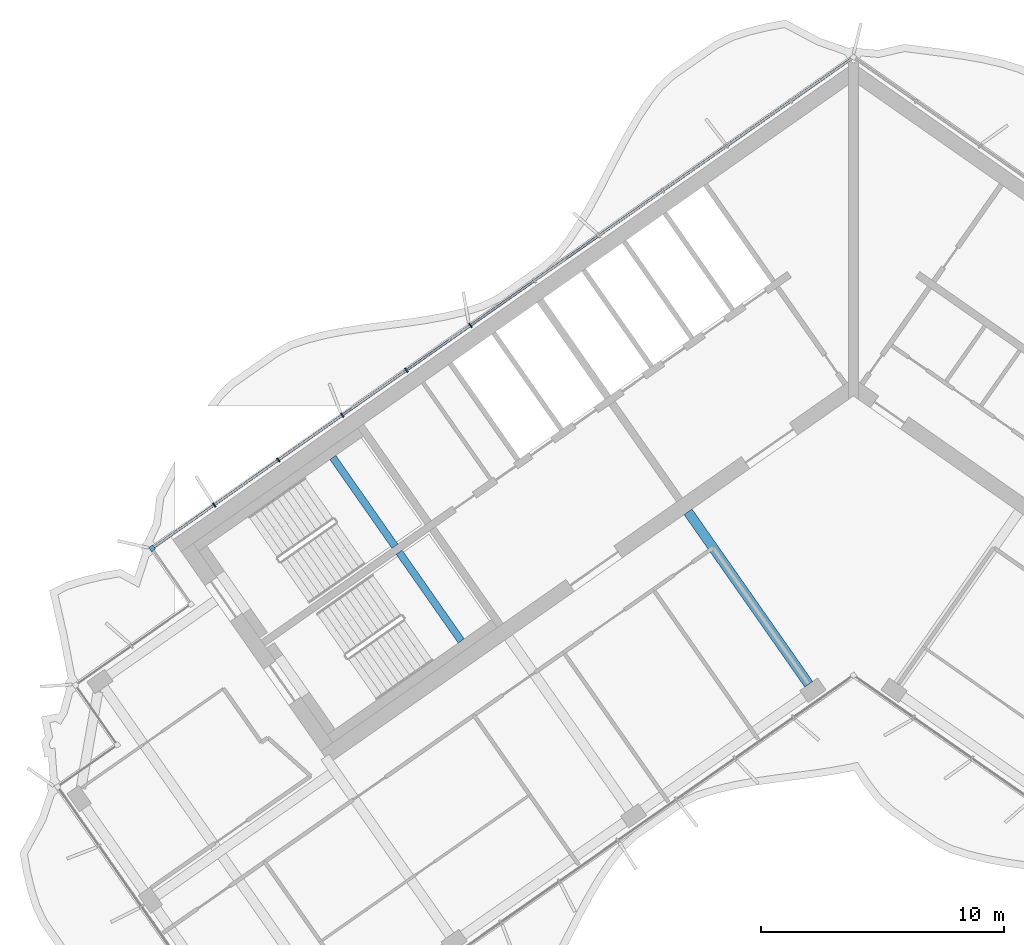
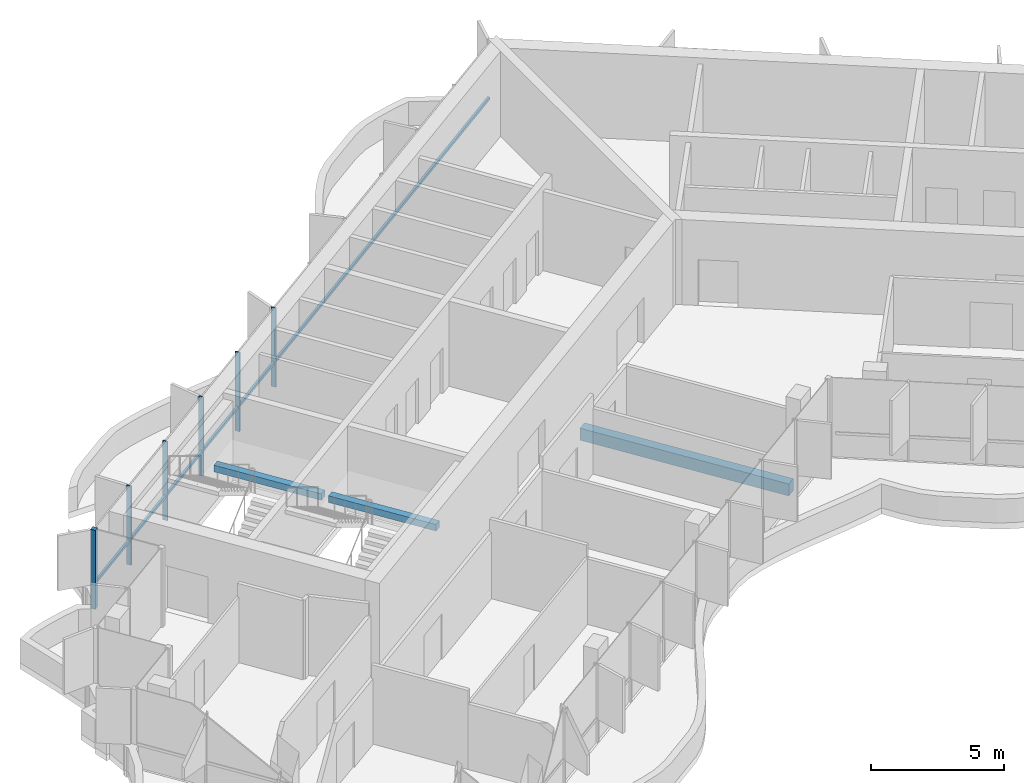
# One storey, part 3 of 20: 7 members, 3 beams, 1 element without a shape of its own.
"""IFC4 building model written with IfcOpenShell, lengths in metres."""

from ifc_helpers import new_model, si_unit, direction, frame, origin, origin_2d, place, context, subcontext, project, spatial, rectangle, extrude, material, material_profile, profile_set, type_object, element, aggregate, save


model = new_model("IFC4")

# Units and contexts
model_context = context("Model", 3, precision=1e-05, world=origin(), true_north=direction((0.0, 1.0)))
body_context = subcontext(model_context, "Body", "Model", "MODEL_VIEW")
ifc_project = project(units=[si_unit("LENGTHUNIT", "METRE"), si_unit("AREAUNIT", "SQUARE_METRE"), si_unit("VOLUMEUNIT", "CUBIC_METRE"), si_unit("PLANEANGLEUNIT", "RADIAN"), si_unit("MASSUNIT", "GRAM", prefix="KILO")], contexts=[model_context])

# Site, building, storey
site_placement = place(None, origin())
site = spatial("IfcSite", under=ifc_project, at=site_placement, CompositionType="ELEMENT")
building_placement = place(site_placement, origin())
building = spatial("IfcBuilding", under=site, at=building_placement, Name="Tel Ilan Convention Tower", CompositionType="ELEMENT")
storey_placement = place(building_placement, frame((0.0, 0.0, 229.300048828125)))
storey = spatial("IfcBuildingStorey", under=building, at=storey_placement, Name="L53", CompositionType="ELEMENT", Elevation=229.300048828125)

# Beam
ifc_material_1 = material(Name="Concrete C40/50", Category="concrete")
ifc_material_profile_1 = material_profile(ifc_material_1, rectangle(XDim=0.39990234375, YDim=0.550048828125, at=origin_2d()), Name="RC 400x550")
ifc_profile_set_1 = profile_set([ifc_material_profile_1], Name="Concrete C40/50")
beam_type_1 = type_object("IfcBeamType", Name="Beam RC 400x550 Concrete C40/50", PredefinedType="BEAM", material=ifc_profile_set_1)
beam_1_placement = place(storey_placement, frame((-1.83740234375, -13.06689453125, -0.554931640625), z_axis=(-0.573574099654, 0.819153680457, 0.0), x_axis=(-0.819153680457, -0.573574099654, 0.0)))
element("IfcBeam", 1, at=beam_1_placement, inside=storey, type_object=beam_type_1, Name="L53 beam W-W-F1-core", PredefinedType="BEAM", context=body_context, shape_type="SweptSolid", body=[
    extrude(rectangle(XDim=0.39990234375, YDim=0.550048828125, at=origin_2d()), origin(), (0.0, 0.0, 1.0), 8.64990234375),
])

# Curtain wall, members
ifc_material_2 = material(Name="Aluminium, bronze anodised", Category="aluminium")
curtain_wall_type = type_object("IfcCurtainWallType", Name="CW2 STICK CURTAIN WALL, SPANDREL PANELS", PredefinedType="NOTDEFINED", material=ifc_material_2)
curtain_wall_placement = place(storey_placement, origin())
curtain_wall = element("IfcCurtainWall", 2, at=curtain_wall_placement, inside=storey, type_object=curtain_wall_type, Name="Curtain wall CW2-42.01", PredefinedType="NOTDEFINED")
ifc_material_3 = material(Name="Aluminium, bronze anodised", Category="aluminium")
ifc_material_profile_2 = material_profile(ifc_material_3, rectangle(XDim=0.199951171875, YDim=0.199951171875, at=origin_2d()), Name="CW CORNER MULLION 200x200")
ifc_profile_set_2 = profile_set([ifc_material_profile_2], Name="Aluminium, bronze anodised")
member_type_1 = type_object("IfcMemberType", Name="CW CORNER MULLION 200x200", PredefinedType="MULLION", material=ifc_profile_set_2)
member_1_placement = place(storey_placement, frame((-28.819580078125, -7.483642578125, 0.0), z_axis=(0.0, 0.0, 1.0), x_axis=(-0.819152044289, -0.573576436351, 0.0)))
member_1 = element("IfcMember", 3, at=member_1_placement, type_object=member_type_1, Name="Corner mullion", PredefinedType="MULLION", context=body_context, shape_type="SweptSolid", body=[
    extrude(rectangle(XDim=0.199951171875, YDim=0.199951171875, at=origin_2d()), origin(), (0.0, 0.0, 1.0), 3.619873046875),
])
ifc_material_4 = material(Name="Aluminium, bronze anodised", Category="aluminium")
ifc_material_profile_3 = material_profile(ifc_material_4, rectangle(XDim=0.06005859375, YDim=0.199951171875, at=origin_2d()), Name="CW MULLION 60x200")
ifc_profile_set_3 = profile_set([ifc_material_profile_3], Name="Aluminium, bronze anodised")
member_type_2 = type_object("IfcMemberType", Name="CW MULLION 60x200", PredefinedType="MULLION", material=ifc_profile_set_3)
member_2_placement = place(storey_placement, frame((-15.73828125, 1.676025390625, 0.0), z_axis=(0.0, 0.0, 1.0), x_axis=(-0.819152044289, -0.573576436351, 0.0)))
member_2 = element("IfcMember", 4, at=member_2_placement, type_object=member_type_2, Name="Mullion", PredefinedType="MULLION", context=body_context, shape_type="SweptSolid", body=[
    extrude(rectangle(XDim=0.06005859375, YDim=0.199951171875, at=origin_2d()), origin(), (0.0, 0.0, 1.0), 3.619873046875),
])
member_3_placement = place(storey_placement, frame((-18.37109375, -0.16748046875, 0.0), z_axis=(0.0, 0.0, 1.0), x_axis=(-0.819152044289, -0.573576436351, 0.0)))
member_3 = element("IfcMember", 5, at=member_3_placement, type_object=member_type_2, Name="Mullion", PredefinedType="MULLION", context=body_context, shape_type="SweptSolid", body=[
    extrude(rectangle(XDim=0.06005859375, YDim=0.199951171875, at=origin_2d()), origin(), (0.0, 0.0, 1.0), 3.619873046875),
])
member_4_placement = place(storey_placement, frame((-21.003662109375, -2.0107421875, 0.0), z_axis=(0.0, 0.0, 1.0), x_axis=(-0.819152044289, -0.573576436351, 0.0)))
member_4 = element("IfcMember", 6, at=member_4_placement, type_object=member_type_2, Name="Mullion", PredefinedType="MULLION", context=body_context, shape_type="SweptSolid", body=[
    extrude(rectangle(XDim=0.06005859375, YDim=0.199951171875, at=origin_2d()), origin(), (0.0, 0.0, 1.0), 3.619873046875),
])
member_5_placement = place(storey_placement, frame((-23.63623046875, -3.854248046875, 0.0), z_axis=(0.0, 0.0, 1.0), x_axis=(-0.819152044289, -0.573576436351, 0.0)))
member_5 = element("IfcMember", 7, at=member_5_placement, type_object=member_type_2, Name="Mullion", PredefinedType="MULLION", context=body_context, shape_type="SweptSolid", body=[
    extrude(rectangle(XDim=0.06005859375, YDim=0.199951171875, at=origin_2d()), origin(), (0.0, 0.0, 1.0), 3.619873046875),
])
member_6_placement = place(storey_placement, frame((-26.268798828125, -5.697509765625, 0.0), z_axis=(0.0, 0.0, 1.0), x_axis=(-0.819152044289, -0.573576436351, 0.0)))
member_6 = element("IfcMember", 8, at=member_6_placement, type_object=member_type_2, Name="Mullion", PredefinedType="MULLION", context=body_context, shape_type="SweptSolid", body=[
    extrude(rectangle(XDim=0.06005859375, YDim=0.199951171875, at=origin_2d()), origin(), (0.0, 0.0, 1.0), 3.619873046875),
])
ifc_material_5 = material(Name="Aluminium, bronze anodised", Category="aluminium")
ifc_material_profile_4 = material_profile(ifc_material_5, rectangle(XDim=0.10009765625, YDim=0.1201171875, at=origin_2d()), Name="CW TRANSOM 100x120")
ifc_profile_set_4 = profile_set([ifc_material_profile_4], Name="Aluminium, bronze anodised")
member_type_3 = type_object("IfcMemberType", Name="CW TRANSOM 100x120", PredefinedType="USERDEFINED", material=ifc_profile_set_4)
member_7_placement = place(storey_placement, frame((-0.1064453125, 12.62158203125, 1.099853515625), z_axis=(-0.819150201937, -0.573579067494, 0.0), x_axis=(0.573579067494, -0.819150201937, 0.0)))
member_7 = element("IfcMember", 9, at=member_7_placement, type_object=member_type_3, Name="Transom", ObjectType="TRANSOM", PredefinedType="USERDEFINED", context=body_context, shape_type="SweptSolid", body=[
    extrude(rectangle(XDim=0.10009765625, YDim=0.1201171875, at=origin_2d()), origin(), (0.0, 0.0, 1.0), 34.9521484375),
])
aggregate(curtain_wall, [member_2, member_3, member_4, member_5, member_6, member_1, member_7])

# Beams
ifc_material_6 = material(Name="Concrete C40/50", Category="concrete")
ifc_material_profile_5 = material_profile(ifc_material_6, rectangle(XDim=0.300048828125, YDim=0.300048828125, at=origin_2d()), Name="RC 300x300")
ifc_profile_set_5 = profile_set([ifc_material_profile_5], Name="Concrete C40/50")
beam_type_2 = type_object("IfcBeamType", Name="Landing Beam RC 300x300 Concrete C40/50", PredefinedType="BEAM", material=ifc_profile_set_5)
beam_2_placement = place(storey_placement, frame((-18.841796875, -7.394287109375, 1.599853515625), z_axis=(-0.573547030514, 0.819172633691, 0.0), x_axis=(-0.819172633691, -0.573547030514, 0.0)))
element("IfcBeam", 10, at=beam_2_placement, inside=storey, type_object=beam_type_2, Name="S1 landing beam L53.1", PredefinedType="BEAM", context=body_context, shape_type="SweptSolid", body=[
    extrude(rectangle(XDim=0.300048828125, YDim=0.300048828125, at=origin_2d()), origin(), (0.0, 0.0, 1.0), 4.449951171875),
])
beam_3_placement = place(storey_placement, frame((-16.1171875, -11.285400390625, 1.599853515625), z_axis=(-0.573583844845, 0.819146856756, 0.0), x_axis=(-0.819146856756, -0.573583844845, 0.0)))
element("IfcBeam", 11, at=beam_3_placement, inside=storey, type_object=beam_type_2, Name="S2 landing beam L53.1", PredefinedType="BEAM", context=body_context, shape_type="SweptSolid", body=[
    extrude(rectangle(XDim=0.300048828125, YDim=0.300048828125, at=origin_2d()), origin(), (0.0, 0.0, 1.0), 4.4501953125),
])

save(model, "model.ifc")
